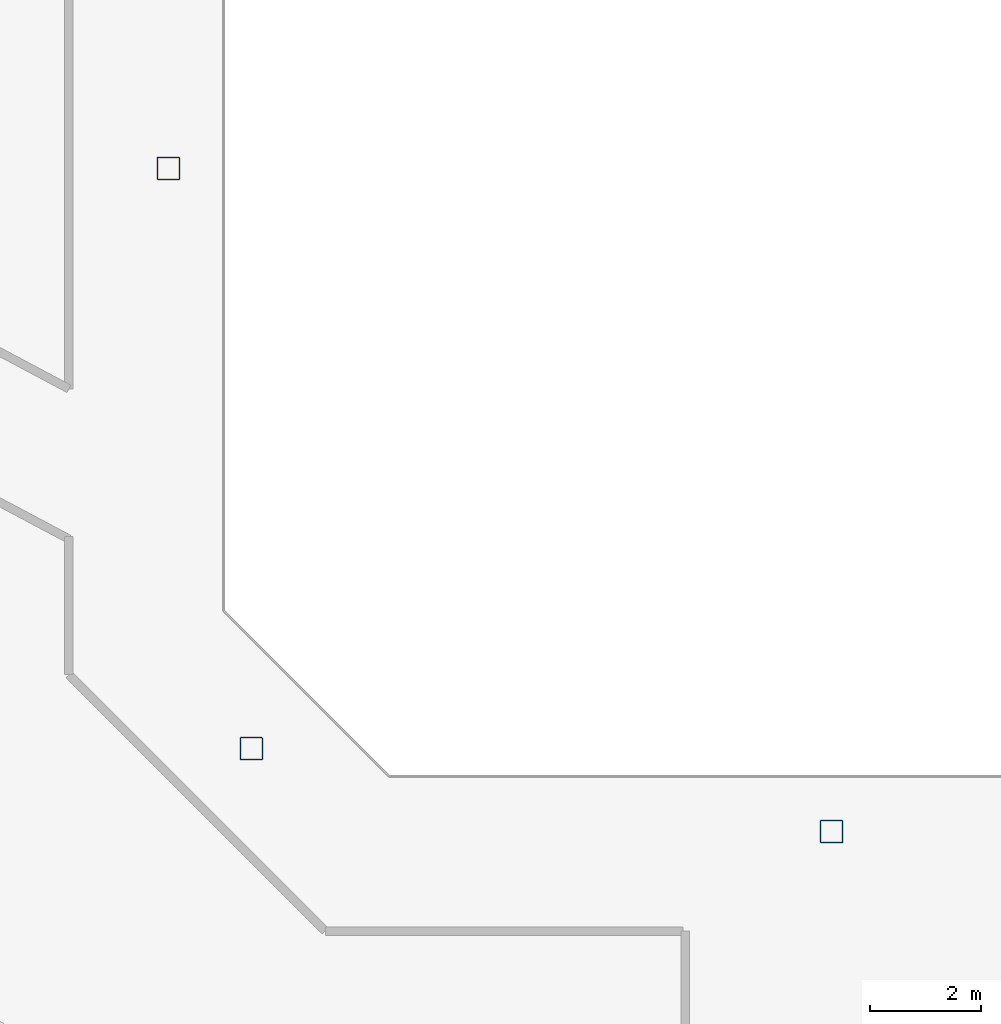
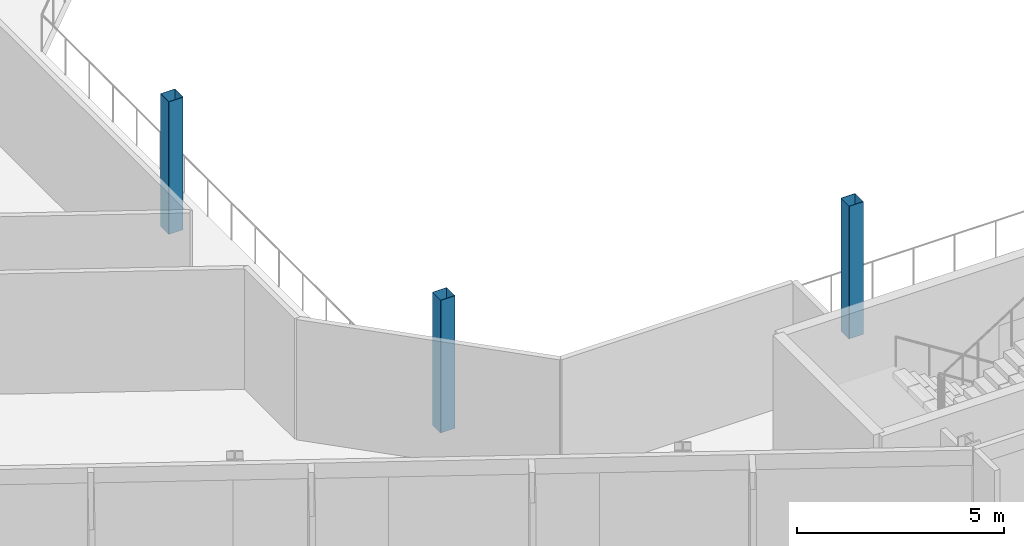
# One storey, part 2 of 26: 3 columns.
"""IFC4 building model written with IfcOpenShell, lengths in metres."""

from ifc_helpers import new_model, si_unit, direction, frame, origin, origin_2d, place, context, subcontext, project, spatial, hollow_rectangle, extrude, material, material_profile, profile_set, type_object, element, save


model = new_model("IFC4")

# Units and contexts
model_context = context("Model", 3, precision=1e-05, world=origin(), true_north=direction((0.0, 1.0)))
body_context = subcontext(model_context, "Body", "Model", "MODEL_VIEW")
ifc_project = project(units=[si_unit("LENGTHUNIT", "METRE"), si_unit("AREAUNIT", "SQUARE_METRE"), si_unit("VOLUMEUNIT", "CUBIC_METRE"), si_unit("PLANEANGLEUNIT", "RADIAN"), si_unit("MASSUNIT", "GRAM", prefix="KILO")], contexts=[model_context])

# Site, building, storey
site_placement = place(None, origin())
site = spatial("IfcSite", under=ifc_project, at=site_placement, CompositionType="ELEMENT")
building_placement = place(site_placement, origin())
building = spatial("IfcBuilding", under=site, at=building_placement, Name="Cormorant Relay Tower", CompositionType="ELEMENT")
storey_placement = place(building_placement, frame((0.0, 0.0, 304.800048828125)))
storey = spatial("IfcBuildingStorey", under=building, at=storey_placement, Name="L69", CompositionType="ELEMENT", Elevation=304.800048828125)

# Columns
ifc_material = material(Name="Steel ASTM A500 Grade C (Fy 345 MPa)", Category="steel")
ifc_material_profile = material_profile(ifc_material, hollow_rectangle(XDim=0.406494140625, YDim=0.406494140625, WallThickness=0.0087890625, InnerFilletRadius=0.00439453125, OuterFilletRadius=0.01318359375, at=origin_2d()), Name="HSS406x406x9")
ifc_profile_set = profile_set([ifc_material_profile], Name="Steel ASTM A500 Grade C (Fy 345 MPa)")
column_type = type_object("IfcColumnType", Name="Column HSS406x406x9", PredefinedType="COLUMN", material=ifc_profile_set)
for number, where, z_axis, x_axis, name in (
    (1, (0.0, -12.0, 0.0), (0.0, 0.0, 1.0), (1.0, 0.0, 0.0), "Column L69-007"),
    (2, (-10.5, -10.5, 0.0), (0.0, 0.0, 1.0), (1.0, 0.0, 0.0), "Column L69-009"),
    (3, (-12.0, 0.0, 0.0), (0.0, 0.0, 1.0), (1.0, 0.0, 0.0), "Column L69-015"),
):
    element("IfcColumn", number, at=place(storey_placement, frame(where, z_axis=z_axis, x_axis=x_axis)), inside=storey, type_object=column_type, Name=name, PredefinedType="COLUMN", context=body_context, shape_type="SweptSolid", body=[
        extrude(hollow_rectangle(XDim=0.406494140625, YDim=0.406494140625, WallThickness=0.0087890625, InnerFilletRadius=0.00439453125, OuterFilletRadius=0.01318359375, at=origin_2d()), origin(), (0.0, 0.0, 1.0), 3.89990234375),
    ])

save(model, "model.ifc")
